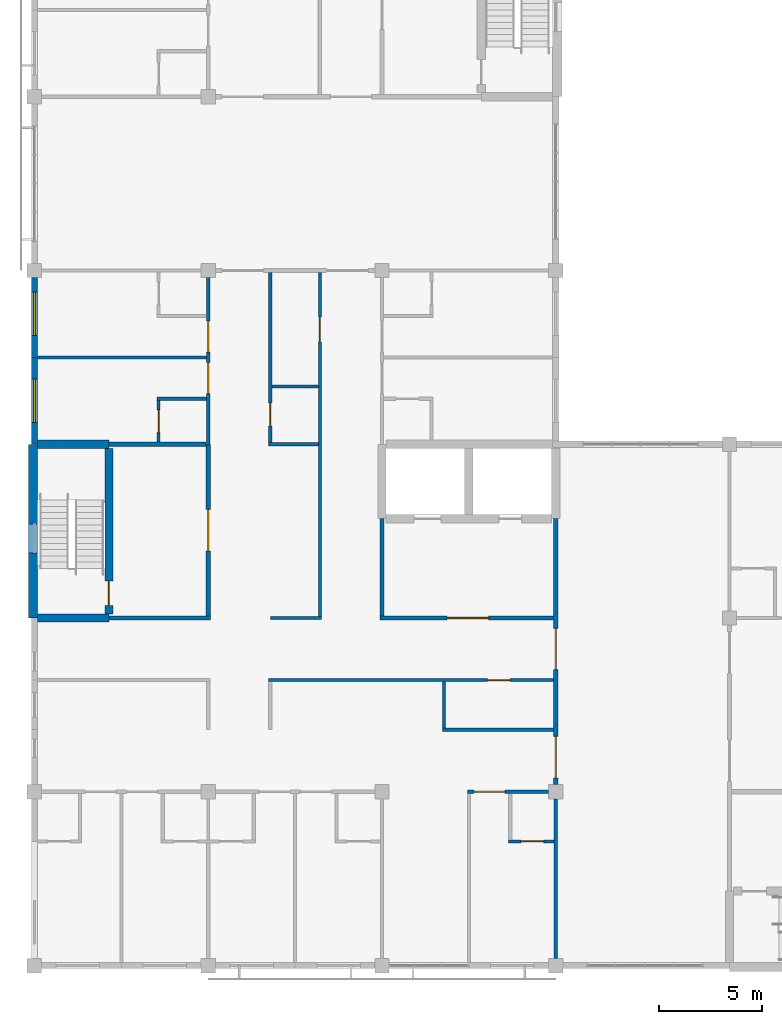
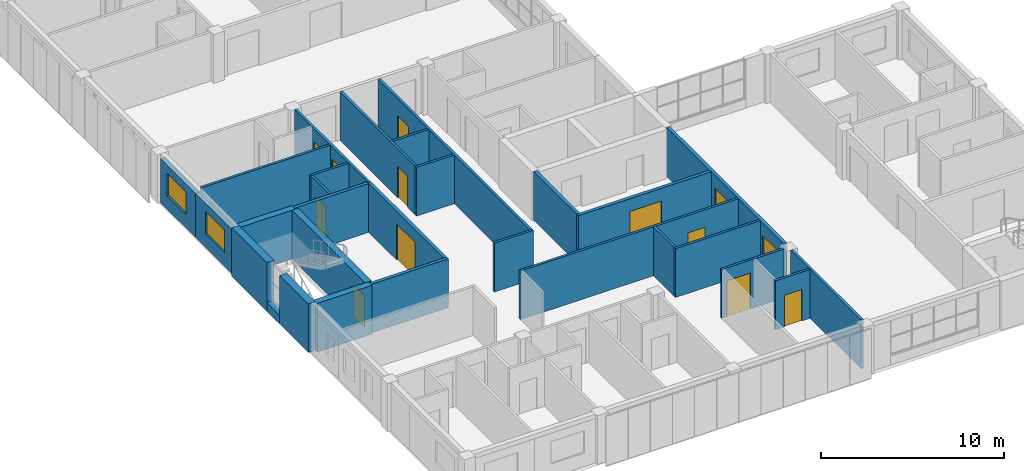
# One storey, part 24 of 45: 29 walls, 13 doors, 2 windows, 15 openings.
"""IFC4 building model written with IfcOpenShell, lengths in metres."""

from ifc_helpers import new_model, si_unit, direction, frame, frame_2d, origin, place, context, subcontext, project, spatial, rectangle, extrude, material, layer, layer_set, type_object, element, fill, save


model = new_model("IFC4")

# Units and contexts
model_context = context("Model", 3, precision=1e-05, world=origin(), true_north=direction((0.0, 1.0)))
body_context = subcontext(model_context, "Body", "Model", "MODEL_VIEW")
ifc_project = project(units=[si_unit("LENGTHUNIT", "METRE"), si_unit("AREAUNIT", "SQUARE_METRE"), si_unit("VOLUMEUNIT", "CUBIC_METRE"), si_unit("PLANEANGLEUNIT", "RADIAN"), si_unit("MASSUNIT", "GRAM", prefix="KILO")], contexts=[model_context])

# Site, building, storey
site_placement = place(None, origin())
site = spatial("IfcSite", under=ifc_project, at=site_placement, CompositionType="ELEMENT")
building_placement = place(site_placement, origin())
building = spatial("IfcBuilding", under=site, at=building_placement, Name="Yavir Park General Hospital", CompositionType="ELEMENT")
storey_placement = place(building_placement, frame((0.0, 0.0, 22.5)))
storey = spatial("IfcBuildingStorey", under=building, at=storey_placement, Name="L05", CompositionType="ELEMENT", Elevation=22.5)

# Wall
ifc_material_1 = material(Name="Double gypsum board fire partition on steel studs", Category="steel")
ifc_layer_1 = layer(ifc_material_1, 0.199951171875)
ifc_layer_set_1 = layer_set([ifc_layer_1], Name="Double gypsum board fire partition on steel studs")
wall_type_1 = type_object("IfcWallType", Name="Fire-rated partition 200, EI 60", PredefinedType="PARTITIONING", material=ifc_layer_set_1)
wall_1_placement = place(storey_placement, frame((3.60009765625, 16.800048828125, 0.0), z_axis=(0.0, 0.0, 1.0), x_axis=(1.0, 0.0, 0.0)))
element("IfcWall", 1, at=wall_1_placement, inside=storey, type_object=wall_type_1, Name="FP20 L05-032", PredefinedType="PARTITIONING", context=body_context, shape_type="SweptSolid", body=[
    extrude(rectangle(XDim=4.89990234375, YDim=0.199951171875, at=frame_2d((2.449951171875, 0.0))), origin(), (0.0, 0.0, 1.0), 3.260009765625),
])

# Wall, opening, door
wall_2_placement = place(storey_placement, frame((16.699951171875, 16.800048828125, 0.0), z_axis=(0.0, 0.0, 1.0), x_axis=(1.0, 0.0, 0.0)))
wall_2 = element("IfcWall", 2, at=wall_2_placement, inside=storey, type_object=wall_type_1, Name="FP20 L05-034", PredefinedType="PARTITIONING", context=body_context, shape_type="SweptSolid", body=[
    extrude(rectangle(XDim=8.400146484375, YDim=0.199951171875, at=frame_2d((4.2001953125, 0.0))), origin(), (0.0, 0.0, 1.0), 3.260009765625),
])
opening_1_placement = place(wall_2_placement, frame((3.25, 0.0, 0.0)))
opening_1 = element("IfcOpeningElement", 3, at=opening_1_placement, cuts=wall_2, Name="Opening L05.D035", PredefinedType="OPENING", context=body_context, shape_type="SweptSolid", body=[
    extrude(rectangle(XDim=2.0, YDim=2.39990234375, at=frame_2d((1.0, 1.199951171875))), frame((0.0, 0.10986328125, 0.0), z_axis=(0.0, -1.0, 0.0), x_axis=(1.0, 0.0, 0.0)), (0.0, 0.0, 1.0), 0.219970703125),
])
ifc_material_2 = material(Name="Steel frame, fire-resisting leaves with vision panels", Category="steel")
door_type_1 = type_object("IfcDoorType", Name="Double fire door with vision panels 2000 x 2400, EI 60", OperationType="DOUBLE_DOOR_SINGLE_SWING", PredefinedType="DOOR", material=ifc_material_2)
door_1_placement = place(opening_1_placement, origin())
door_1 = element("IfcDoor", 4, at=door_1_placement, inside=storey, type_object=door_type_1, Name="L05.D035", OperationType="SINGLE_SWING_RIGHT", OverallHeight=2.39990234375, OverallWidth=2.0, PredefinedType="DOOR", context=body_context, shape_type="SweptSolid", body=[
    extrude(rectangle(XDim=2.0, YDim=2.39990234375, at=frame_2d((1.0, 1.199951171875))), frame((0.0, 0.030029296875, 0.0), z_axis=(0.0, -1.0, 0.0), x_axis=(1.0, 0.0, 0.0)), (0.0, 0.0, 1.0), 0.06005859375),
])
fill(opening_1, door_1)

# Wall
wall_3_placement = place(storey_placement, frame((3.60009765625, 25.199951171875, 0.0), z_axis=(0.0, 0.0, 1.0), x_axis=(1.0, 0.0, 0.0)))
element("IfcWall", 5, at=wall_3_placement, inside=storey, type_object=wall_type_1, Name="FP20 L05-051", PredefinedType="PARTITIONING", context=body_context, shape_type="SweptSolid", body=[
    extrude(rectangle(XDim=4.699951171875, YDim=0.199951171875, at=frame_2d((2.35009765625, 0.0))), origin(), (0.0, 0.0, 1.0), 3.260009765625),
])

# Wall, opening, door
wall_4_placement = place(storey_placement, frame((8.39990234375, 16.89990234375, 0.0), z_axis=(0.0, 0.0, 1.0), x_axis=(0.0, 1.0, 0.0)))
wall_4 = element("IfcWall", 6, at=wall_4_placement, inside=storey, type_object=wall_type_1, Name="FP20 L05-162", PredefinedType="PARTITIONING", context=body_context, shape_type="SweptSolid", body=[
    extrude(rectangle(XDim=8.300048828125, YDim=0.199951171875, at=frame_2d((4.14990234375, 0.0))), origin(), (0.0, 0.0, 1.0), 3.260009765625),
])
opening_2_placement = place(wall_4_placement, frame((3.14990234375, 0.0, 0.0)))
opening_2 = element("IfcOpeningElement", 7, at=opening_2_placement, cuts=wall_4, Name="Opening L05.D091", PredefinedType="OPENING", context=body_context, shape_type="SweptSolid", body=[
    extrude(rectangle(XDim=2.0, YDim=2.39990234375, at=frame_2d((1.0, 1.199951171875))), frame((0.0, 0.10986328125, 0.0), z_axis=(0.0, -1.0, 0.0), x_axis=(1.0, 0.0, 0.0)), (0.0, 0.0, 1.0), 0.219970703125),
])
door_2_placement = place(opening_2_placement, origin())
door_2 = element("IfcDoor", 8, at=door_2_placement, inside=storey, type_object=door_type_1, Name="L05.D091", OperationType="SINGLE_SWING_LEFT", OverallHeight=2.39990234375, OverallWidth=2.0, PredefinedType="DOOR", context=body_context, shape_type="SweptSolid", body=[
    extrude(rectangle(XDim=2.0, YDim=2.39990234375, at=frame_2d((1.0, 1.199951171875))), frame((0.0, 0.030029296875, 0.0), z_axis=(0.0, -1.0, 0.0), x_axis=(1.0, 0.0, 0.0)), (0.0, 0.0, 1.0), 0.06005859375),
])
fill(opening_2, door_2)

# Wall
wall_5_placement = place(storey_placement, frame((16.800048828125, 16.89990234375, 0.0), z_axis=(0.0, 0.0, 1.0), x_axis=(0.0, 1.0, 0.0)))
element("IfcWall", 9, at=wall_5_placement, inside=storey, type_object=wall_type_1, Name="FP20 L05-185", PredefinedType="PARTITIONING", context=body_context, shape_type="SweptSolid", body=[
    extrude(rectangle(XDim=4.7001953125, YDim=0.199951171875, at=frame_2d((2.35009765625, 0.0))), origin(), (0.0, 0.0, 1.0), 3.260009765625),
])

# Wall, openings, doors
wall_6_placement = place(storey_placement, frame((25.199951171875, 8.75, 0.0), z_axis=(0.0, 0.0, 1.0), x_axis=(0.0, 1.0, 0.0)))
wall_6 = element("IfcWall", 10, at=wall_6_placement, inside=storey, type_object=wall_type_1, Name="FP20 L05-214", PredefinedType="PARTITIONING", context=body_context, shape_type="SweptSolid", body=[
    extrude(rectangle(XDim=12.85009765625, YDim=0.199951171875, at=frame_2d((6.425048828125, 0.0))), origin(), (0.0, 0.0, 1.0), 3.260009765625),
])
opening_3_placement = place(wall_6_placement, frame((0.324951171875, 0.0, 0.0)))
opening_3 = element("IfcOpeningElement", 11, at=opening_3_placement, cuts=wall_6, Name="Opening L05.D141", PredefinedType="OPENING", context=body_context, shape_type="SweptSolid", body=[
    extrude(rectangle(XDim=2.0, YDim=2.39990234375, at=frame_2d((1.0, 1.199951171875))), frame((0.0, 0.10986328125, 0.0), z_axis=(0.0, -1.0, 0.0), x_axis=(1.0, 0.0, 0.0)), (0.0, 0.0, 1.0), 0.219970703125),
])
opening_4_placement = place(wall_6_placement, frame((5.550048828125, 0.0, 0.0)))
opening_4 = element("IfcOpeningElement", 12, at=opening_4_placement, cuts=wall_6, Name="Opening L05.D142", PredefinedType="OPENING", context=body_context, shape_type="SweptSolid", body=[
    extrude(rectangle(XDim=2.0, YDim=2.39990234375, at=frame_2d((1.0, 1.199951171875))), frame((0.0, 0.10986328125, 0.0), z_axis=(0.0, -1.0, 0.0), x_axis=(1.0, 0.0, 0.0)), (0.0, 0.0, 1.0), 0.219970703125),
])
door_3_placement = place(opening_3_placement, origin())
door_3 = element("IfcDoor", 13, at=door_3_placement, inside=storey, type_object=door_type_1, Name="L05.D141", OperationType="SINGLE_SWING_LEFT", OverallHeight=2.39990234375, OverallWidth=2.0, PredefinedType="DOOR", context=body_context, shape_type="SweptSolid", body=[
    extrude(rectangle(XDim=2.0, YDim=2.39990234375, at=frame_2d((1.0, 1.199951171875))), frame((0.0, 0.030029296875, 0.0), z_axis=(0.0, -1.0, 0.0), x_axis=(1.0, 0.0, 0.0)), (0.0, 0.0, 1.0), 0.06005859375),
])
fill(opening_3, door_3)
door_4_placement = place(opening_4_placement, origin())
door_4 = element("IfcDoor", 14, at=door_4_placement, inside=storey, type_object=door_type_1, Name="L05.D142", OperationType="SINGLE_SWING_RIGHT", OverallHeight=2.39990234375, OverallWidth=2.0, PredefinedType="DOOR", context=body_context, shape_type="SweptSolid", body=[
    extrude(rectangle(XDim=2.0, YDim=2.39990234375, at=frame_2d((1.0, 1.199951171875))), frame((0.0, 0.030029296875, 0.0), z_axis=(0.0, -1.0, 0.0), x_axis=(1.0, 0.0, 0.0)), (0.0, 0.0, 1.0), 0.06005859375),
])
fill(opening_4, door_4)

# Wall, opening, door
ifc_material_3 = material(Name="Gypsum board partition on steel studs", Category="steel")
ifc_layer_2 = layer(ifc_material_3, 0.14990234375)
ifc_layer_set_2 = layer_set([ifc_layer_2], Name="Gypsum board partition on steel studs")
wall_type_2 = type_object("IfcWallType", Name="Gypsum board partition 150", PredefinedType="PARTITIONING", material=ifc_layer_set_2)
wall_7_placement = place(storey_placement, frame((22.925048828125, 6.0, 0.0), z_axis=(0.0, 0.0, 1.0), x_axis=(1.0, 0.0, 0.0)))
wall_7 = element("IfcWall", 15, at=wall_7_placement, inside=storey, type_object=wall_type_2, Name="P15 L05-007", PredefinedType="PARTITIONING", context=body_context, shape_type="SweptSolid", body=[
    extrude(rectangle(XDim=2.199951171875, YDim=0.14990234375, at=frame_2d((1.10009765625, 0.0))), origin(), (0.0, 0.0, 1.0), 3.260009765625),
])
opening_5_placement = place(wall_7_placement, frame((0.58740234375, 0.0, 0.0)))
opening_5 = element("IfcOpeningElement", 16, at=opening_5_placement, cuts=wall_7, Name="Opening L05.D008", PredefinedType="OPENING", context=body_context, shape_type="SweptSolid", body=[
    extrude(rectangle(XDim=1.10009765625, YDim=2.10009765625, at=frame_2d((0.550048828125, 1.050048828125))), frame((0.0, 0.0849609375, 0.0), z_axis=(0.0, -1.0, 0.0), x_axis=(1.0, 0.0, 0.0)), (0.0, 0.0, 1.0), 0.169921875),
])
ifc_material_4 = material(Name="Hollow metal frame, solid-core timber leaf", Category="wood")
door_type_2 = type_object("IfcDoorType", Name="Single swing door 1100 x 2100", OperationType="SINGLE_SWING_LEFT", PredefinedType="DOOR", material=ifc_material_4)
door_5_placement = place(opening_5_placement, origin())
door_5 = element("IfcDoor", 17, at=door_5_placement, inside=storey, type_object=door_type_2, Name="L05.D008", OperationType="SINGLE_SWING_RIGHT", OverallHeight=2.10009765625, OverallWidth=1.10009765625, PredefinedType="DOOR", context=body_context, shape_type="SweptSolid", body=[
    extrude(rectangle(XDim=1.10009765625, YDim=2.10009765625, at=frame_2d((0.550048828125, 1.050048828125))), frame((0.0, 0.02490234375, 0.0), z_axis=(0.0, -1.0, 0.0), x_axis=(1.0, 0.0, 0.0)), (0.0, 0.0, 1.0), 0.050048828125),
])
fill(opening_5, door_5)

wall_8_placement = place(storey_placement, frame((20.925048828125, 8.39990234375, 0.0), z_axis=(0.0, 0.0, 1.0), x_axis=(1.0, 0.0, 0.0)))
wall_8 = element("IfcWall", 18, at=wall_8_placement, inside=storey, type_object=wall_type_2, Name="P15 L05-013", PredefinedType="PARTITIONING", context=body_context, shape_type="SweptSolid", body=[
    extrude(rectangle(XDim=3.925048828125, YDim=0.14990234375, at=frame_2d((1.96240234375, 0.0))), origin(), (0.0, 0.0, 1.0), 3.260009765625),
])
opening_6_placement = place(wall_8_placement, frame((0.324951171875, 0.0, 0.0)))
opening_6 = element("IfcOpeningElement", 19, at=opening_6_placement, cuts=wall_8, Name="Opening L05.D017", PredefinedType="OPENING", context=body_context, shape_type="SweptSolid", body=[
    extrude(rectangle(XDim=1.5, YDim=2.39990234375, at=frame_2d((0.75, 1.199951171875))), frame((0.0, 0.0849609375, 0.0), z_axis=(0.0, -1.0, 0.0), x_axis=(1.0, 0.0, 0.0)), (0.0, 0.0, 1.0), 0.169921875),
])
ifc_material_5 = material(Name="Solid-core timber leaves, push plates, kick plates", Category="wood")
door_type_3 = type_object("IfcDoorType", Name="Bed door, unequal leaves 1500 x 2400", OperationType="DOUBLE_DOOR_SINGLE_SWING", PredefinedType="DOOR", material=ifc_material_5)
door_6_placement = place(opening_6_placement, origin())
door_6 = element("IfcDoor", 20, at=door_6_placement, inside=storey, type_object=door_type_3, Name="L05.D017", OperationType="SINGLE_SWING_LEFT", OverallHeight=2.39990234375, OverallWidth=1.5, PredefinedType="DOOR", context=body_context, shape_type="SweptSolid", body=[
    extrude(rectangle(XDim=1.5, YDim=2.39990234375, at=frame_2d((0.75, 1.199951171875))), frame((0.0, 0.030029296875, 0.0), z_axis=(0.0, -1.0, 0.0), x_axis=(1.0, 0.0, 0.0)), (0.0, 0.0, 1.0), 0.06005859375),
])
fill(opening_6, door_6)

# Wall
wall_9_placement = place(storey_placement, frame((19.72509765625, 11.39990234375, 0.0), z_axis=(0.0, 0.0, 1.0), x_axis=(1.0, 0.0, 0.0)))
element("IfcWall", 21, at=wall_9_placement, inside=storey, type_object=wall_type_2, Name="P15 L05-021", PredefinedType="PARTITIONING", context=body_context, shape_type="SweptSolid", body=[
    extrude(rectangle(XDim=5.375, YDim=0.14990234375, at=frame_2d((2.6875, 0.0))), origin(), (0.0, 0.0, 1.0), 3.260009765625),
])

# Wall, opening, door
wall_10_placement = place(storey_placement, frame((11.324951171875, 13.800048828125, 0.0), z_axis=(0.0, 0.0, 1.0), x_axis=(1.0, 0.0, 0.0)))
wall_10 = element("IfcWall", 22, at=wall_10_placement, inside=storey, type_object=wall_type_2, Name="P15 L05-026", PredefinedType="PARTITIONING", context=body_context, shape_type="SweptSolid", body=[
    extrude(rectangle(XDim=13.775146484375, YDim=0.14990234375, at=frame_2d((6.8876953125, 0.0))), origin(), (0.0, 0.0, 1.0), 3.260009765625),
])
opening_7_placement = place(wall_10_placement, frame((10.574951171875, 0.0, 0.0)))
opening_7 = element("IfcOpeningElement", 23, at=opening_7_placement, cuts=wall_10, Name="Opening L05.D029", PredefinedType="OPENING", context=body_context, shape_type="SweptSolid", body=[
    extrude(rectangle(XDim=1.10009765625, YDim=2.10009765625, at=frame_2d((0.550048828125, 1.050048828125))), frame((0.0, 0.0849609375, 0.0), z_axis=(0.0, -1.0, 0.0), x_axis=(1.0, 0.0, 0.0)), (0.0, 0.0, 1.0), 0.169921875),
])
door_7_placement = place(opening_7_placement, origin())
door_7 = element("IfcDoor", 24, at=door_7_placement, inside=storey, type_object=door_type_2, Name="L05.D029", OperationType="SINGLE_SWING_LEFT", OverallHeight=2.10009765625, OverallWidth=1.10009765625, PredefinedType="DOOR", context=body_context, shape_type="SweptSolid", body=[
    extrude(rectangle(XDim=1.10009765625, YDim=2.10009765625, at=frame_2d((0.550048828125, 1.050048828125))), frame((0.0, 0.02490234375, 0.0), z_axis=(0.0, -1.0, 0.0), x_axis=(1.0, 0.0, 0.0)), (0.0, 0.0, 1.0), 0.050048828125),
])
fill(opening_7, door_7)

# Walls
wall_11_placement = place(storey_placement, frame((11.39990234375, 16.800048828125, 0.0), z_axis=(0.0, 0.0, 1.0), x_axis=(1.0, 0.0, 0.0)))
element("IfcWall", 25, at=wall_11_placement, inside=storey, type_object=wall_type_2, Name="P15 L05-033", PredefinedType="PARTITIONING", context=body_context, shape_type="SweptSolid", body=[
    extrude(rectangle(XDim=2.47509765625, YDim=0.14990234375, at=frame_2d((1.237548828125, 0.0))), origin(), (0.0, 0.0, 1.0), 3.260009765625),
])
wall_12_placement = place(storey_placement, frame((11.324951171875, 25.199951171875, 0.0), z_axis=(0.0, 0.0, 1.0), x_axis=(1.0, 0.0, 0.0)))
element("IfcWall", 26, at=wall_12_placement, inside=storey, type_object=wall_type_2, Name="P15 L05-052", PredefinedType="PARTITIONING", context=body_context, shape_type="SweptSolid", body=[
    extrude(rectangle(XDim=2.400146484375, YDim=0.14990234375, at=frame_2d((1.2001953125, 0.0))), origin(), (0.0, 0.0, 1.0), 3.260009765625),
])
wall_13_placement = place(storey_placement, frame((5.925048828125, 27.39990234375, 0.0), z_axis=(0.0, 0.0, 1.0), x_axis=(1.0, 0.0, 0.0)))
element("IfcWall", 27, at=wall_13_placement, inside=storey, type_object=wall_type_2, Name="P15 L05-054", PredefinedType="PARTITIONING", context=body_context, shape_type="SweptSolid", body=[
    extrude(rectangle(XDim=2.39990234375, YDim=0.14990234375, at=frame_2d((1.199951171875, 0.0))), origin(), (0.0, 0.0, 1.0), 3.260009765625),
])
wall_14_placement = place(storey_placement, frame((11.47509765625, 28.0, 0.0), z_axis=(0.0, 0.0, 1.0), x_axis=(1.0, 0.0, 0.0)))
element("IfcWall", 28, at=wall_14_placement, inside=storey, type_object=wall_type_2, Name="P15 L05-056", PredefinedType="PARTITIONING", context=body_context, shape_type="SweptSolid", body=[
    extrude(rectangle(XDim=2.25, YDim=0.14990234375, at=frame_2d((1.125, 0.0))), origin(), (0.0, 0.0, 1.0), 3.260009765625),
])
wall_15_placement = place(storey_placement, frame((0.14990234375, 29.39990234375, 0.0), z_axis=(0.0, 0.0, 1.0), x_axis=(1.0, 0.0, 0.0)))
element("IfcWall", 29, at=wall_15_placement, inside=storey, type_object=wall_type_2, Name="P15 L05-057", PredefinedType="PARTITIONING", context=body_context, shape_type="SweptSolid", body=[
    extrude(rectangle(XDim=8.175048828125, YDim=0.14990234375, at=frame_2d((4.08740234375, 0.0))), origin(), (0.0, 0.0, 1.0), 3.260009765625),
])

# Wall, opening, door
wall_16_placement = place(storey_placement, frame((6.0, 25.300048828125, 0.0), z_axis=(0.0, 0.0, 1.0), x_axis=(0.0, 1.0, 0.0)))
wall_16 = element("IfcWall", 30, at=wall_16_placement, inside=storey, type_object=wall_type_2, Name="P15 L05-144", PredefinedType="PARTITIONING", context=body_context, shape_type="SweptSolid", body=[
    extrude(rectangle(XDim=2.02490234375, YDim=0.14990234375, at=frame_2d((1.012451171875, 0.0))), origin(), (0.0, 0.0, 1.0), 3.260009765625),
])
opening_8_placement = place(wall_16_placement, frame((0.46240234375, 0.0, 0.0)))
opening_8 = element("IfcOpeningElement", 31, at=opening_8_placement, cuts=wall_16, Name="Opening L05.D078", PredefinedType="OPENING", context=body_context, shape_type="SweptSolid", body=[
    extrude(rectangle(XDim=1.10009765625, YDim=2.10009765625, at=frame_2d((0.550048828125, 1.050048828125))), frame((0.0, 0.0849609375, 0.0), z_axis=(0.0, -1.0, 0.0), x_axis=(1.0, 0.0, 0.0)), (0.0, 0.0, 1.0), 0.169921875),
])
door_8_placement = place(opening_8_placement, origin())
door_8 = element("IfcDoor", 32, at=door_8_placement, inside=storey, type_object=door_type_2, Name="L05.D078", OperationType="SINGLE_SWING_RIGHT", OverallHeight=2.10009765625, OverallWidth=1.10009765625, PredefinedType="DOOR", context=body_context, shape_type="SweptSolid", body=[
    extrude(rectangle(XDim=1.10009765625, YDim=2.10009765625, at=frame_2d((0.550048828125, 1.050048828125))), frame((0.0, 0.02490234375, 0.0), z_axis=(0.0, -1.0, 0.0), x_axis=(1.0, 0.0, 0.0)), (0.0, 0.0, 1.0), 0.050048828125),
])
fill(opening_8, door_8)

# Wall, openings, doors
wall_17_placement = place(storey_placement, frame((8.39990234375, 25.199951171875, 0.0), z_axis=(0.0, 0.0, 1.0), x_axis=(0.0, 1.0, 0.0)))
wall_17 = element("IfcWall", 33, at=wall_17_placement, inside=storey, type_object=wall_type_2, Name="P15 L05-163", PredefinedType="PARTITIONING", context=body_context, shape_type="SweptSolid", body=[
    extrude(rectangle(XDim=8.050048828125, YDim=0.14990234375, at=frame_2d((4.02490234375, 0.0))), origin(), (0.0, 0.0, 1.0), 3.260009765625),
])
opening_9_placement = place(wall_17_placement, frame((2.449951171875, 0.0, 0.0)))
opening_9 = element("IfcOpeningElement", 34, at=opening_9_placement, cuts=wall_17, Name="Opening L05.D092", PredefinedType="OPENING", context=body_context, shape_type="SweptSolid", body=[
    extrude(rectangle(XDim=1.5, YDim=2.39990234375, at=frame_2d((0.75, 1.199951171875))), frame((0.0, 0.0849609375, 0.0), z_axis=(0.0, -1.0, 0.0), x_axis=(1.0, 0.0, 0.0)), (0.0, 0.0, 1.0), 0.169921875),
])
opening_10_placement = place(wall_17_placement, frame((4.449951171875, 0.0, 0.0)))
opening_10 = element("IfcOpeningElement", 35, at=opening_10_placement, cuts=wall_17, Name="Opening L05.D093", PredefinedType="OPENING", context=body_context, shape_type="SweptSolid", body=[
    extrude(rectangle(XDim=1.5, YDim=2.39990234375, at=frame_2d((0.75, 1.199951171875))), frame((0.0, 0.0849609375, 0.0), z_axis=(0.0, -1.0, 0.0), x_axis=(1.0, 0.0, 0.0)), (0.0, 0.0, 1.0), 0.169921875),
])
door_9_placement = place(opening_9_placement, origin())
door_9 = element("IfcDoor", 36, at=door_9_placement, inside=storey, type_object=door_type_3, Name="L05.D092", OperationType="SINGLE_SWING_RIGHT", OverallHeight=2.39990234375, OverallWidth=1.5, PredefinedType="DOOR", context=body_context, shape_type="SweptSolid", body=[
    extrude(rectangle(XDim=1.5, YDim=2.39990234375, at=frame_2d((0.75, 1.199951171875))), frame((0.0, 0.030029296875, 0.0), z_axis=(0.0, -1.0, 0.0), x_axis=(1.0, 0.0, 0.0)), (0.0, 0.0, 1.0), 0.06005859375),
])
fill(opening_9, door_9)
door_10_placement = place(opening_10_placement, origin())
door_10 = element("IfcDoor", 37, at=door_10_placement, inside=storey, type_object=door_type_3, Name="L05.D093", OperationType="SINGLE_SWING_RIGHT", OverallHeight=2.39990234375, OverallWidth=1.5, PredefinedType="DOOR", context=body_context, shape_type="SweptSolid", body=[
    extrude(rectangle(XDim=1.5, YDim=2.39990234375, at=frame_2d((0.75, 1.199951171875))), frame((0.0, 0.030029296875, 0.0), z_axis=(0.0, -1.0, 0.0), x_axis=(1.0, 0.0, 0.0)), (0.0, 0.0, 1.0), 0.06005859375),
])
fill(opening_10, door_10)

# Wall, opening, door
wall_18_placement = place(storey_placement, frame((11.39990234375, 25.27490234375, 0.0), z_axis=(0.0, 0.0, 1.0), x_axis=(0.0, 1.0, 0.0)))
wall_18 = element("IfcWall", 38, at=wall_18_placement, inside=storey, type_object=wall_type_2, Name="P15 L05-174", PredefinedType="PARTITIONING", context=body_context, shape_type="SweptSolid", body=[
    extrude(rectangle(XDim=8.22509765625, YDim=0.14990234375, at=frame_2d((4.112548828125, 0.0))), origin(), (0.0, 0.0, 1.0), 3.260009765625),
])
opening_11_placement = place(wall_18_placement, frame((0.8125, 0.0, 0.0)))
opening_11 = element("IfcOpeningElement", 39, at=opening_11_placement, cuts=wall_18, Name="Opening L05.D107", PredefinedType="OPENING", context=body_context, shape_type="SweptSolid", body=[
    extrude(rectangle(XDim=1.10009765625, YDim=2.10009765625, at=frame_2d((0.550048828125, 1.050048828125))), frame((0.0, 0.0849609375, 0.0), z_axis=(0.0, -1.0, 0.0), x_axis=(1.0, 0.0, 0.0)), (0.0, 0.0, 1.0), 0.169921875),
])
door_11_placement = place(opening_11_placement, origin())
door_11 = element("IfcDoor", 40, at=door_11_placement, inside=storey, type_object=door_type_2, Name="L05.D107", OperationType="SINGLE_SWING_RIGHT", OverallHeight=2.10009765625, OverallWidth=1.10009765625, PredefinedType="DOOR", context=body_context, shape_type="SweptSolid", body=[
    extrude(rectangle(XDim=1.10009765625, YDim=2.10009765625, at=frame_2d((0.550048828125, 1.050048828125))), frame((0.0, 0.02490234375, 0.0), z_axis=(0.0, -1.0, 0.0), x_axis=(1.0, 0.0, 0.0)), (0.0, 0.0, 1.0), 0.050048828125),
])
fill(opening_11, door_11)

wall_19_placement = place(storey_placement, frame((13.800048828125, 16.875, 0.0), z_axis=(0.0, 0.0, 1.0), x_axis=(0.0, 1.0, 0.0)))
wall_19 = element("IfcWall", 41, at=wall_19_placement, inside=storey, type_object=wall_type_2, Name="P15 L05-179", PredefinedType="PARTITIONING", context=body_context, shape_type="SweptSolid", body=[
    extrude(rectangle(XDim=16.625, YDim=0.14990234375, at=frame_2d((8.3125, 0.0))), origin(), (0.0, 0.0, 1.0), 3.260009765625),
])
opening_12_placement = place(wall_19_placement, frame((13.27490234375, 0.0, 0.0)))
opening_12 = element("IfcOpeningElement", 42, at=opening_12_placement, cuts=wall_19, Name="Opening L05.D112", PredefinedType="OPENING", context=body_context, shape_type="SweptSolid", body=[
    extrude(rectangle(XDim=1.199951171875, YDim=2.10009765625, at=frame_2d((0.60009765625, 1.050048828125))), frame((0.0, 0.0849609375, 0.0), z_axis=(0.0, -1.0, 0.0), x_axis=(1.0, 0.0, 0.0)), (0.0, 0.0, 1.0), 0.169921875),
])
ifc_material_6 = material(Name="Hollow metal frame, solid-core timber leaf", Category="wood")
door_type_4 = type_object("IfcDoorType", Name="Single swing door 1200 x 2100", OperationType="SINGLE_SWING_LEFT", PredefinedType="DOOR", material=ifc_material_6)
door_12_placement = place(opening_12_placement, origin())
door_12 = element("IfcDoor", 43, at=door_12_placement, inside=storey, type_object=door_type_4, Name="L05.D112", OperationType="SINGLE_SWING_RIGHT", OverallHeight=2.10009765625, OverallWidth=1.199951171875, PredefinedType="DOOR", context=body_context, shape_type="SweptSolid", body=[
    extrude(rectangle(XDim=1.199951171875, YDim=2.10009765625, at=frame_2d((0.60009765625, 1.050048828125))), frame((0.0, 0.02490234375, 0.0), z_axis=(0.0, -1.0, 0.0), x_axis=(1.0, 0.0, 0.0)), (0.0, 0.0, 1.0), 0.050048828125),
])
fill(opening_12, door_12)

# Walls
wall_20_placement = place(storey_placement, frame((19.800048828125, 11.47509765625, 0.0), z_axis=(0.0, 0.0, 1.0), x_axis=(0.0, 1.0, 0.0)))
element("IfcWall", 44, at=wall_20_placement, inside=storey, type_object=wall_type_2, Name="P15 L05-206", PredefinedType="PARTITIONING", context=body_context, shape_type="SweptSolid", body=[
    extrude(rectangle(XDim=2.25, YDim=0.14990234375, at=frame_2d((1.125, 0.0))), origin(), (0.0, 0.0, 1.0), 3.260009765625),
])
wall_21_placement = place(storey_placement, frame((25.199951171875, 0.35009765625, 0.0), z_axis=(0.0, 0.0, 1.0), x_axis=(0.0, 1.0, 0.0)))
element("IfcWall", 45, at=wall_21_placement, inside=storey, type_object=wall_type_2, Name="P15 L05-213", PredefinedType="PARTITIONING", context=body_context, shape_type="SweptSolid", body=[
    extrude(rectangle(XDim=7.699951171875, YDim=0.14990234375, at=frame_2d((3.85009765625, 0.0))), origin(), (0.0, 0.0, 1.0), 3.260009765625),
])

# Wall, opening, window
ifc_material_7 = material(Name="Autoclaved aerated block, mineral wool and ochre mineral render")
ifc_layer_3 = layer(ifc_material_7, 0.300048828125)
ifc_layer_set_3 = layer_set([ifc_layer_3], Name="Autoclaved aerated block, mineral wool and ochre mineral render")
wall_type_3 = type_object("IfcWallType", Name="Ochre render ward wall 300, E 30", PredefinedType="SOLIDWALL", material=ifc_layer_set_3)
wall_22_placement = place(storey_placement, frame((0.0, 25.199951171875, 0.0), z_axis=(0.0, 0.0, 1.0), x_axis=(0.0, 1.0, 0.0)))
wall_22 = element("IfcWall", 46, at=wall_22_placement, inside=storey, type_object=wall_type_3, Name="XW7 L05-076", PredefinedType="SOLIDWALL", context=body_context, shape_type="SweptSolid", body=[
    extrude(rectangle(XDim=4.199951171875, YDim=0.300048828125, at=frame_2d((2.10009765625, 0.0))), origin(), (0.0, 0.0, 1.0), 2.9599609375),
])
opening_13_placement = place(wall_22_placement, frame((1.050048828125, 0.0, 0.89990234375)))
opening_13 = element("IfcOpeningElement", 47, at=opening_13_placement, cuts=wall_22, Name="Opening WAR", PredefinedType="OPENING", context=body_context, shape_type="SweptSolid", body=[
    extrude(rectangle(XDim=2.10009765625, YDim=1.5, at=frame_2d((1.050048828125, 0.75))), frame((0.0, 0.159912109375, 0.0), z_axis=(0.0, -1.0, 0.0), x_axis=(1.0, 0.0, 0.0)), (0.0, 0.0, 1.0), 0.320068359375),
])
ifc_material_8 = material(Name="Aluminium frame, tilt-and-turn sash with opening restrictor, double glazed unit", Category="aluminium")
window_type = type_object("IfcWindowType", Name="Ward window, restricted opening 2100 x 1500", PartitioningType="DOUBLE_PANEL_VERTICAL", PredefinedType="WINDOW", material=ifc_material_8)
window_1_placement = place(opening_13_placement, origin())
window_1 = element("IfcWindow", 48, at=window_1_placement, inside=storey, type_object=window_type, Name="WAR L05-028", OverallHeight=1.5, OverallWidth=2.10009765625, PartitioningType="DOUBLE_PANEL_VERTICAL", PredefinedType="WINDOW", context=body_context, shape_type="SweptSolid", body=[
    extrude(rectangle(XDim=2.10009765625, YDim=1.5, at=frame_2d((1.050048828125, 0.75))), frame((0.0, 0.050048828125, 0.0), z_axis=(0.0, -1.0, 0.0), x_axis=(1.0, 0.0, 0.0)), (0.0, 0.0, 1.0), 0.10009765625),
])
fill(opening_13, window_1)

wall_23_placement = place(storey_placement, frame((0.0, 29.39990234375, 0.0), z_axis=(0.0, 0.0, 1.0), x_axis=(0.0, 1.0, 0.0)))
wall_23 = element("IfcWall", 49, at=wall_23_placement, inside=storey, type_object=wall_type_3, Name="XW7 L05-077", PredefinedType="SOLIDWALL", context=body_context, shape_type="SweptSolid", body=[
    extrude(rectangle(XDim=3.85009765625, YDim=0.300048828125, at=frame_2d((1.925048828125, 0.0))), origin(), (0.0, 0.0, 1.0), 2.9599609375),
])
opening_14_placement = place(wall_23_placement, frame((1.050048828125, 0.0, 0.89990234375)))
opening_14 = element("IfcOpeningElement", 50, at=opening_14_placement, cuts=wall_23, Name="Opening WAR", PredefinedType="OPENING", context=body_context, shape_type="SweptSolid", body=[
    extrude(rectangle(XDim=2.10009765625, YDim=1.5, at=frame_2d((1.050048828125, 0.75))), frame((0.0, 0.159912109375, 0.0), z_axis=(0.0, -1.0, 0.0), x_axis=(1.0, 0.0, 0.0)), (0.0, 0.0, 1.0), 0.320068359375),
])
window_2_placement = place(opening_14_placement, origin())
window_2 = element("IfcWindow", 51, at=window_2_placement, inside=storey, type_object=window_type, Name="WAR L05-029", OverallHeight=1.5, OverallWidth=2.10009765625, PartitioningType="DOUBLE_PANEL_VERTICAL", PredefinedType="WINDOW", context=body_context, shape_type="SweptSolid", body=[
    extrude(rectangle(XDim=2.10009765625, YDim=1.5, at=frame_2d((1.050048828125, 0.75))), frame((0.0, 0.050048828125, 0.0), z_axis=(0.0, -1.0, 0.0), x_axis=(1.0, 0.0, 0.0)), (0.0, 0.0, 1.0), 0.10009765625),
])
fill(opening_14, window_2)

# Walls
ifc_material_9 = material(Name="Concrete C35/45", Category="concrete")
ifc_layer_4 = layer(ifc_material_9, 0.39990234375)
ifc_layer_set_4 = layer_set([ifc_layer_4], Name="Concrete C35/45")
wall_type_4 = type_object("IfcWallType", Name="Reinforced concrete core wall 400, REI 150", PredefinedType="SHEAR", material=ifc_layer_set_4)
for number, where, z_axis, x_axis, name in (
    (52, (0.14990234375, 16.800048828125, 0.0), (0.0, 0.0, 1.0), (1.0, 0.0, 0.0), "CW40 L05-031"),
    (53, (0.14990234375, 25.199951171875, 0.0), (0.0, 0.0, 1.0), (1.0, 0.0, 0.0), "CW40 L05-050"),
):
    element("IfcWall", number, at=place(storey_placement, frame(where, z_axis=z_axis, x_axis=x_axis)), inside=storey, type_object=wall_type_4, Name=name, PredefinedType="SHEAR", context=body_context, shape_type="SweptSolid", body=[
        extrude(rectangle(XDim=3.4501953125, YDim=0.39990234375, at=frame_2d((1.72509765625, 0.0))), origin(), (0.0, 0.0, 1.0), 3.260009765625),
    ])

# Wall, opening, door
wall_24_placement = place(storey_placement, frame((3.60009765625, 17.0, 0.0), z_axis=(0.0, 0.0, 1.0), x_axis=(0.0, 1.0, 0.0)))
wall_24 = element("IfcWall", 54, at=wall_24_placement, inside=storey, type_object=wall_type_4, Name="CW40 L05-141", PredefinedType="SHEAR", context=body_context, shape_type="SweptSolid", body=[
    extrude(rectangle(XDim=8.0, YDim=0.39990234375, at=frame_2d((4.0, 0.0))), origin(), (0.0, 0.0, 1.0), 3.260009765625),
])
opening_15_placement = place(wall_24_placement, frame((0.39990234375, 0.0, 0.0)))
opening_15 = element("IfcOpeningElement", 55, at=opening_15_placement, cuts=wall_24, Name="Opening L05.D075", PredefinedType="OPENING", context=body_context, shape_type="SweptSolid", body=[
    extrude(rectangle(XDim=1.199951171875, YDim=2.10009765625, at=frame_2d((0.60009765625, 1.050048828125))), frame((0.0, 0.2099609375, 0.0), z_axis=(0.0, -1.0, 0.0), x_axis=(1.0, 0.0, 0.0)), (0.0, 0.0, 1.0), 0.419921875),
])
ifc_material_10 = material(Name="Steel frame, fire-resisting timber leaf", Category="steel")
door_type_5 = type_object("IfcDoorType", Name="Fire door 1200 x 2100, EI 60", OperationType="SINGLE_SWING_LEFT", PredefinedType="DOOR", material=ifc_material_10)
door_13_placement = place(opening_15_placement, origin())
door_13 = element("IfcDoor", 56, at=door_13_placement, inside=storey, type_object=door_type_5, Name="L05.D075", OperationType="SINGLE_SWING_RIGHT", OverallHeight=2.10009765625, OverallWidth=1.199951171875, PredefinedType="DOOR", context=body_context, shape_type="SweptSolid", body=[
    extrude(rectangle(XDim=1.199951171875, YDim=2.10009765625, at=frame_2d((0.60009765625, 1.050048828125))), frame((0.0, 0.02490234375, 0.0), z_axis=(0.0, -1.0, 0.0), x_axis=(1.0, 0.0, 0.0)), (0.0, 0.0, 1.0), 0.050048828125),
])
fill(opening_15, door_13)

# Walls
ifc_material_11 = material(Name="Concrete C30/37 precast panel with 150 mm mineral wool insulation", Category="concrete")
ifc_layer_5 = layer(ifc_material_11, 0.449951171875)
ifc_layer_set_5 = layer_set([ifc_layer_5], Name="Concrete C30/37 precast panel with 150 mm mineral wool insulation")
wall_type_5 = type_object("IfcWallType", Name="Stair enclosure wall 450, REI 150", PredefinedType="SOLIDWALL", material=ifc_layer_set_5)
wall_25_placement = place(storey_placement, frame((-0.074951171875, 16.800048828125, 0.0), z_axis=(0.0, 0.0, 1.0), x_axis=(0.0, 1.0, 0.0)))
element("IfcWall", 57, at=wall_25_placement, inside=storey, type_object=wall_type_5, Name="XW6 L05-073", PredefinedType="SOLIDWALL", context=body_context, shape_type="SweptSolid", body=[
    extrude(rectangle(XDim=3.14990234375, YDim=0.449951171875, at=frame_2d((1.574951171875, 0.0))), origin(), (0.0, 0.0, 1.0), 3.260009765625),
])
wall_26_placement = place(storey_placement, frame((-0.074951171875, 21.35009765625, 0.0), z_axis=(0.0, 0.0, 1.0), x_axis=(0.0, 1.0, 0.0)))
element("IfcWall", 58, at=wall_26_placement, inside=storey, type_object=wall_type_5, Name="XW6 L05-074", PredefinedType="SOLIDWALL", context=body_context, shape_type="SweptSolid", body=[
    extrude(rectangle(XDim=3.849853515625, YDim=0.449951171875, at=frame_2d((1.9248046875, 0.0))), origin(), (0.0, 0.0, 1.0), 3.260009765625),
])
wall_27_placement = place(storey_placement, frame((-0.074951171875, 19.949951171875, 0.0), z_axis=(0.0, 0.0, 1.0), x_axis=(0.0, 1.0, 0.0)))
element("IfcWall", 59, at=wall_27_placement, inside=storey, type_object=wall_type_5, Name="XW6 L05-075", PredefinedType="SOLIDWALL", context=body_context, shape_type="SweptSolid", body=[
    extrude(rectangle(XDim=1.400146484375, YDim=0.449951171875, at=frame_2d((0.7001953125, 0.0))), origin(), (0.0, 0.0, 1.0), 0.60009765625),
])

save(model, "model.ifc")
